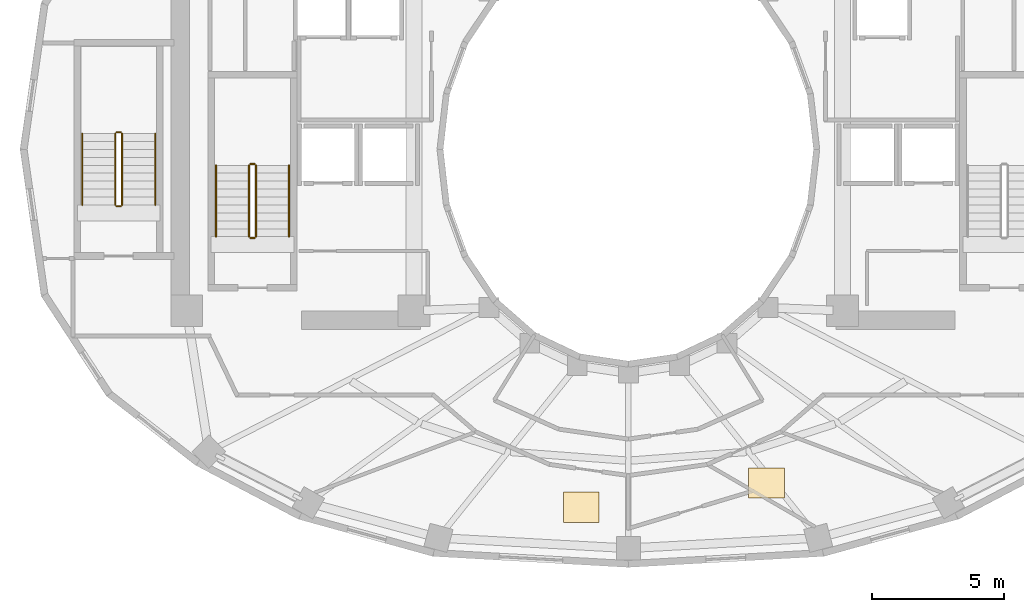
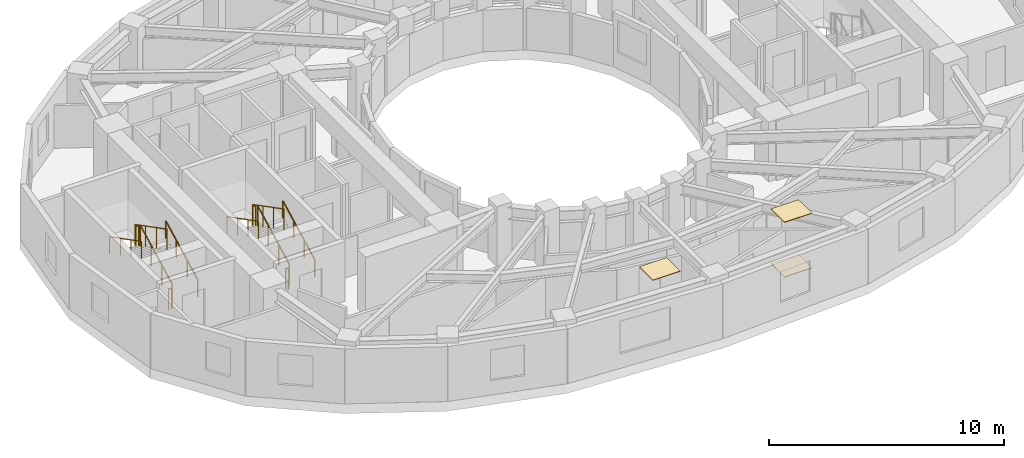
# One storey, part 8 of 9: 12 railings, 3 coverings.
"""IFC4 building model written with IfcOpenShell, lengths in metres."""

from ifc_helpers import new_model, si_unit, direction, frame, origin, origin_2d, place, context, subcontext, project, spatial, polyline, circle, outline, extrude, material, layer, layer_set, type_object, element, save


model = new_model("IFC4")

# Units and contexts
model_context = context("Model", 3, precision=1e-05, world=origin(), true_north=direction((0.0, 1.0)))
body_context = subcontext(model_context, "Body", "Model", "MODEL_VIEW")
ifc_project = project(units=[si_unit("LENGTHUNIT", "METRE"), si_unit("AREAUNIT", "SQUARE_METRE"), si_unit("VOLUMEUNIT", "CUBIC_METRE"), si_unit("PLANEANGLEUNIT", "RADIAN"), si_unit("MASSUNIT", "GRAM", prefix="KILO")], contexts=[model_context])

# Site, building, storey
site_placement = place(None, origin())
site = spatial("IfcSite", under=ifc_project, at=site_placement, CompositionType="ELEMENT")
building_placement = place(site_placement, origin())
building = spatial("IfcBuilding", under=site, at=building_placement, Name="Solvane Sanctuary Tower", CompositionType="ELEMENT")
storey_placement = place(building_placement, frame((0.0, 0.0, 162.199951171875)))
storey = spatial("IfcBuildingStorey", under=building, at=storey_placement, Name="L49", CompositionType="ELEMENT", Elevation=162.199951171875)

# Coverings
ifc_material_1 = material(Name="Acoustic Gypsum Partition Board")
ifc_layer_1 = layer(ifc_material_1, 0.02490234375, Name="Acoustic Gypsum Partition Board")
ifc_layer_set_1 = layer_set([ifc_layer_1], Name="Acoustic Gypsum Partition Board")
covering_type_1 = type_object("IfcCoveringType", Name="Covering CLG-ACOUST", PredefinedType="CEILING", material=ifc_layer_set_1)
covering_1_placement = place(storey_placement, frame((0.0, 0.0, 2.85009765625)))
element("IfcCovering", 1, at=covering_1_placement, inside=storey, type_object=covering_type_1, Name="L49 Unit Acoustic Ceiling Panel 4", PredefinedType="CEILING", context=body_context, shape_type="SweptSolid", body=[
    extrude(outline(polyline([(29.54296875, 8.89208984375), (30.89306640625, 8.89208984375), (30.89306640625, 10.0419921875), (29.54296875, 10.0419921875), (29.54296875, 8.89208984375)])), origin(), (0.0, 0.0, 1.0), 0.030029296875),
])
covering_2_placement = place(storey_placement, frame((0.0, 0.0, 2.85009765625)))
element("IfcCovering", 2, at=covering_2_placement, inside=storey, type_object=covering_type_1, Name="L49 Unit Acoustic Ceiling Panel 5", PredefinedType="CEILING", context=body_context, shape_type="SweptSolid", body=[
    extrude(outline(polyline([(36.549072265625, 9.81396484375), (37.89892578125, 9.81396484375), (37.89892578125, 10.964111328125), (36.549072265625, 10.964111328125), (36.549072265625, 9.81396484375)])), origin(), (0.0, 0.0, 1.0), 0.030029296875),
])
ifc_material_2 = material(Name="Ceramic Tile Finish")
ifc_layer_2 = layer(ifc_material_2, 0.030029296875, Name="Ceramic Tile Finish")
ifc_layer_set_2 = layer_set([ifc_layer_2], Name="Ceramic Tile Finish")
covering_type_2 = type_object("IfcCoveringType", Name="Covering FLR-TERRAZZO", PredefinedType="FLOORING", material=ifc_layer_set_2)
covering_3_placement = place(storey_placement, origin())
element("IfcCovering", 3, at=covering_3_placement, inside=storey, type_object=covering_type_2, Name="L49 Unit Terrazzo Inlay 5", PredefinedType="FLOORING", context=body_context, shape_type="SweptSolid", body=[
    extrude(outline(polyline([(36.549072265625, 9.81396484375), (37.89892578125, 9.81396484375), (37.89892578125, 10.964111328125), (36.549072265625, 10.964111328125), (36.549072265625, 9.81396484375)])), origin(), (0.0, 0.0, 1.0), 0.03515625),
])

# Railings
ifc_material_3 = material(Name="Architectural Stainless Steel 316", Category="steel")
railing_type_1 = type_object("IfcRailingType", Name="Railing GR-BALC-1150", PredefinedType="BALUSTRADE", material=ifc_material_3)
railing_1_placement = place(storey_placement, frame((17.919921875, 19.699951171875, 0.155029296875)))
element("IfcRailing", 4, at=railing_1_placement, inside=storey, type_object=railing_type_1, Name="L49 ST-1 stair guard 1", PredefinedType="BALUSTRADE", context=body_context, shape_type="SweptSolid", body=[
    extrude(circle(Radius=0.02392578125, at=origin_2d()), frame((0.0, 0.0, 1.076171875), z_axis=(0.0, 0.888419900624, 0.459031676658), x_axis=(-1.0, 0.0, 0.0)), (0.0, 0.0, 1.0), 3.0390625),
    extrude(circle(Radius=0.02099609375, at=origin_2d()), origin(), (0.0, 0.0, 1.0), 1.052001953125),
    extrude(circle(Radius=0.02099609375, at=origin_2d()), frame((0.0, 0.89990234375, 0.465087890625)), (0.0, 0.0, 1.0), 1.052001953125),
    extrude(circle(Radius=0.02099609375, at=origin_2d()), frame((0.0, 1.800048828125, 0.929931640625)), (0.0, 0.0, 1.0), 1.052001953125),
    extrude(circle(Radius=0.02099609375, at=origin_2d()), frame((0.0, 2.699951171875, 1.39501953125)), (0.0, 0.0, 1.0), 1.052001953125),
])
railing_2_placement = place(storey_placement, frame((17.8701171875, 22.449951171875, 1.550048828125)))
element("IfcRailing", 5, at=railing_2_placement, inside=storey, type_object=railing_type_1, Name="L49 ST-1 stair guard 2", PredefinedType="BALUSTRADE", context=body_context, shape_type="SweptSolid", body=[
    extrude(circle(Radius=0.02392578125, at=origin_2d()), frame((0.0, 0.0, 1.076171875), z_axis=(-1.0, 0.0, 0.0), x_axis=(0.0, -1.0, 0.0)), (0.0, 0.0, 1.0), 0.16015625),
    extrude(circle(Radius=0.02099609375, at=origin_2d()), origin(), (0.0, 0.0, 1.0), 1.052001953125),
    extrude(circle(Radius=0.02099609375, at=origin_2d()), frame((-0.16015625, 0.0, 0.0)), (0.0, 0.0, 1.0), 1.052001953125),
])
railing_3_placement = place(storey_placement, frame((17.659912109375, 22.39990234375, 1.705078125)))
element("IfcRailing", 6, at=railing_3_placement, inside=storey, type_object=railing_type_1, Name="L49 ST-1 stair guard 3", PredefinedType="BALUSTRADE", context=body_context, shape_type="SweptSolid", body=[
    extrude(circle(Radius=0.02392578125, at=origin_2d()), frame((0.0, 0.0, 1.076171875), z_axis=(0.0, -0.888419900624, 0.459031676658), x_axis=(1.0, 0.0, 0.0)), (0.0, 0.0, 1.0), 3.0390625),
    extrude(circle(Radius=0.02099609375, at=origin_2d()), origin(), (0.0, 0.0, 1.0), 1.052001953125),
    extrude(circle(Radius=0.02099609375, at=origin_2d()), frame((0.0, -0.89990234375, 0.465087890625)), (0.0, 0.0, 1.0), 1.052001953125),
    extrude(circle(Radius=0.02099609375, at=origin_2d()), frame((0.0, -1.800048828125, 0.929931640625)), (0.0, 0.0, 1.0), 1.052001953125),
    extrude(circle(Radius=0.02099609375, at=origin_2d()), frame((0.0, -2.699951171875, 1.39501953125)), (0.0, 0.0, 1.0), 1.052001953125),
])
railing_4_placement = place(storey_placement, frame((17.8701171875, 19.64990234375, 0.0)))
element("IfcRailing", 7, at=railing_4_placement, inside=storey, type_object=railing_type_1, Name="L49 ST-1 stair guard 4", PredefinedType="BALUSTRADE", context=body_context, shape_type="SweptSolid", body=[
    extrude(circle(Radius=0.02392578125, at=origin_2d()), frame((0.0, 0.0, 1.076171875), z_axis=(-1.0, 0.0, 0.0), x_axis=(0.0, -1.0, 0.0)), (0.0, 0.0, 1.0), 0.16015625),
    extrude(circle(Radius=0.02099609375, at=origin_2d()), origin(), (0.0, 0.0, 1.0), 1.052001953125),
    extrude(circle(Radius=0.02099609375, at=origin_2d()), frame((-0.16015625, 0.0, 0.0)), (0.0, 0.0, 1.0), 1.052001953125),
])
railing_5_placement = place(storey_placement, frame((12.860107421875, 20.89990234375, 0.155029296875)))
element("IfcRailing", 8, at=railing_5_placement, inside=storey, type_object=railing_type_1, Name="L49 ST-3 stair guard 1", PredefinedType="BALUSTRADE", context=body_context, shape_type="SweptSolid", body=[
    extrude(circle(Radius=0.02392578125, at=origin_2d()), frame((0.0, 0.0, 1.076171875), z_axis=(0.0, 0.888436826113, 0.458998917216), x_axis=(-1.0, 0.0, 0.0)), (0.0, 0.0, 1.0), 3.039306640625),
    extrude(circle(Radius=0.02099609375, at=origin_2d()), origin(), (0.0, 0.0, 1.0), 1.052001953125),
    extrude(circle(Radius=0.02099609375, at=origin_2d()), frame((0.0, 0.900146484375, 0.465087890625)), (0.0, 0.0, 1.0), 1.052001953125),
    extrude(circle(Radius=0.02099609375, at=origin_2d()), frame((0.0, 1.800048828125, 0.929931640625)), (0.0, 0.0, 1.0), 1.052001953125),
    extrude(circle(Radius=0.02099609375, at=origin_2d()), frame((0.0, 2.7001953125, 1.39501953125)), (0.0, 0.0, 1.0), 1.052001953125),
])
railing_6_placement = place(storey_placement, frame((12.81005859375, 23.64990234375, 1.550048828125)))
element("IfcRailing", 9, at=railing_6_placement, inside=storey, type_object=railing_type_1, Name="L49 ST-3 stair guard 2", PredefinedType="BALUSTRADE", context=body_context, shape_type="SweptSolid", body=[
    extrude(circle(Radius=0.02392578125, at=origin_2d()), frame((0.0, 0.0, 1.076171875), z_axis=(-1.0, 0.0, 0.0), x_axis=(0.0, -1.0, 0.0)), (0.0, 0.0, 1.0), 0.16015625),
    extrude(circle(Radius=0.02099609375, at=origin_2d()), origin(), (0.0, 0.0, 1.0), 1.052001953125),
    extrude(circle(Radius=0.02099609375, at=origin_2d()), frame((-0.16015625, 0.0, 0.0)), (0.0, 0.0, 1.0), 1.052001953125),
])
railing_7_placement = place(storey_placement, frame((12.60009765625, 23.60009765625, 1.705078125)))
element("IfcRailing", 10, at=railing_7_placement, inside=storey, type_object=railing_type_1, Name="L49 ST-3 stair guard 3", PredefinedType="BALUSTRADE", context=body_context, shape_type="SweptSolid", body=[
    extrude(circle(Radius=0.02392578125, at=origin_2d()), frame((0.0, 0.0, 1.076171875), z_axis=(0.0, -0.888436826113, 0.458998917216), x_axis=(1.0, 0.0, 0.0)), (0.0, 0.0, 1.0), 3.039306640625),
    extrude(circle(Radius=0.02099609375, at=origin_2d()), origin(), (0.0, 0.0, 1.0), 1.052001953125),
    extrude(circle(Radius=0.02099609375, at=origin_2d()), frame((0.0, -0.900146484375, 0.465087890625)), (0.0, 0.0, 1.0), 1.052001953125),
    extrude(circle(Radius=0.02099609375, at=origin_2d()), frame((0.0, -1.800048828125, 0.929931640625)), (0.0, 0.0, 1.0), 1.052001953125),
    extrude(circle(Radius=0.02099609375, at=origin_2d()), frame((0.0, -2.7001953125, 1.39501953125)), (0.0, 0.0, 1.0), 1.052001953125),
])
railing_8_placement = place(storey_placement, frame((12.81005859375, 20.85009765625, 0.0)))
element("IfcRailing", 11, at=railing_8_placement, inside=storey, type_object=railing_type_1, Name="L49 ST-3 stair guard 4", PredefinedType="BALUSTRADE", context=body_context, shape_type="SweptSolid", body=[
    extrude(circle(Radius=0.02392578125, at=origin_2d()), frame((0.0, 0.0, 1.076171875), z_axis=(-1.0, 0.0, 0.0), x_axis=(0.0, -1.0, 0.0)), (0.0, 0.0, 1.0), 0.16015625),
    extrude(circle(Radius=0.02099609375, at=origin_2d()), origin(), (0.0, 0.0, 1.0), 1.052001953125),
    extrude(circle(Radius=0.02099609375, at=origin_2d()), frame((-0.16015625, 0.0, 0.0)), (0.0, 0.0, 1.0), 1.052001953125),
])
railing_type_2 = type_object("IfcRailingType", Name="Railing HR-STAIR-920", PredefinedType="HANDRAIL", material=ifc_material_3)
railing_9_placement = place(storey_placement, frame((19.169921875, 19.699951171875, 0.155029296875)))
element("IfcRailing", 12, at=railing_9_placement, inside=storey, type_object=railing_type_2, Name="L49 ST-1 stair handrail 1", PredefinedType="HANDRAIL", context=body_context, shape_type="SweptSolid", body=[
    extrude(circle(Radius=0.02392578125, at=origin_2d()), frame((0.0, 0.0, 0.8759765625), z_axis=(0.0, 0.888419900624, 0.459031676658), x_axis=(-1.0, 0.0, 0.0)), (0.0, 0.0, 1.0), 3.0390625),
    extrude(circle(Radius=0.02099609375, at=origin_2d()), origin(), (0.0, 0.0, 1.0), 0.851806640625),
    extrude(circle(Radius=0.02099609375, at=origin_2d()), frame((0.0, 0.89990234375, 0.465087890625)), (0.0, 0.0, 1.0), 0.851806640625),
    extrude(circle(Radius=0.02099609375, at=origin_2d()), frame((0.0, 1.800048828125, 0.929931640625)), (0.0, 0.0, 1.0), 0.851806640625),
    extrude(circle(Radius=0.02099609375, at=origin_2d()), frame((0.0, 2.699951171875, 1.39501953125)), (0.0, 0.0, 1.0), 0.851806640625),
])
railing_10_placement = place(storey_placement, frame((16.409912109375, 22.39990234375, 1.705078125)))
element("IfcRailing", 13, at=railing_10_placement, inside=storey, type_object=railing_type_2, Name="L49 ST-1 stair handrail 2", PredefinedType="HANDRAIL", context=body_context, shape_type="SweptSolid", body=[
    extrude(circle(Radius=0.02392578125, at=origin_2d()), frame((0.0, 0.0, 0.8759765625), z_axis=(0.0, -0.888419900624, 0.459031676658), x_axis=(1.0, 0.0, 0.0)), (0.0, 0.0, 1.0), 3.0390625),
    extrude(circle(Radius=0.02099609375, at=origin_2d()), origin(), (0.0, 0.0, 1.0), 0.851806640625),
    extrude(circle(Radius=0.02099609375, at=origin_2d()), frame((0.0, -0.89990234375, 0.465087890625)), (0.0, 0.0, 1.0), 0.851806640625),
    extrude(circle(Radius=0.02099609375, at=origin_2d()), frame((0.0, -1.800048828125, 0.929931640625)), (0.0, 0.0, 1.0), 0.851806640625),
    extrude(circle(Radius=0.02099609375, at=origin_2d()), frame((0.0, -2.699951171875, 1.39501953125)), (0.0, 0.0, 1.0), 0.851806640625),
])
railing_11_placement = place(storey_placement, frame((14.110107421875, 20.89990234375, 0.155029296875)))
element("IfcRailing", 14, at=railing_11_placement, inside=storey, type_object=railing_type_2, Name="L49 ST-3 stair handrail 1", PredefinedType="HANDRAIL", context=body_context, shape_type="SweptSolid", body=[
    extrude(circle(Radius=0.02392578125, at=origin_2d()), frame((0.0, 0.0, 0.8759765625), z_axis=(0.0, 0.888436826113, 0.458998917216), x_axis=(-1.0, 0.0, 0.0)), (0.0, 0.0, 1.0), 3.039306640625),
    extrude(circle(Radius=0.02099609375, at=origin_2d()), origin(), (0.0, 0.0, 1.0), 0.851806640625),
    extrude(circle(Radius=0.02099609375, at=origin_2d()), frame((0.0, 0.900146484375, 0.465087890625)), (0.0, 0.0, 1.0), 0.851806640625),
    extrude(circle(Radius=0.02099609375, at=origin_2d()), frame((0.0, 1.800048828125, 0.929931640625)), (0.0, 0.0, 1.0), 0.851806640625),
    extrude(circle(Radius=0.02099609375, at=origin_2d()), frame((0.0, 2.7001953125, 1.39501953125)), (0.0, 0.0, 1.0), 0.851806640625),
])
railing_12_placement = place(storey_placement, frame((11.35009765625, 23.60009765625, 1.705078125)))
element("IfcRailing", 15, at=railing_12_placement, inside=storey, type_object=railing_type_2, Name="L49 ST-3 stair handrail 2", PredefinedType="HANDRAIL", context=body_context, shape_type="SweptSolid", body=[
    extrude(circle(Radius=0.02392578125, at=origin_2d()), frame((0.0, 0.0, 0.8759765625), z_axis=(0.0, -0.888436826113, 0.458998917216), x_axis=(1.0, 0.0, 0.0)), (0.0, 0.0, 1.0), 3.039306640625),
    extrude(circle(Radius=0.02099609375, at=origin_2d()), origin(), (0.0, 0.0, 1.0), 0.851806640625),
    extrude(circle(Radius=0.02099609375, at=origin_2d()), frame((0.0, -0.900146484375, 0.465087890625)), (0.0, 0.0, 1.0), 0.851806640625),
    extrude(circle(Radius=0.02099609375, at=origin_2d()), frame((0.0, -1.800048828125, 0.929931640625)), (0.0, 0.0, 1.0), 0.851806640625),
    extrude(circle(Radius=0.02099609375, at=origin_2d()), frame((0.0, -2.7001953125, 1.39501953125)), (0.0, 0.0, 1.0), 0.851806640625),
])

save(model, "model.ifc")
